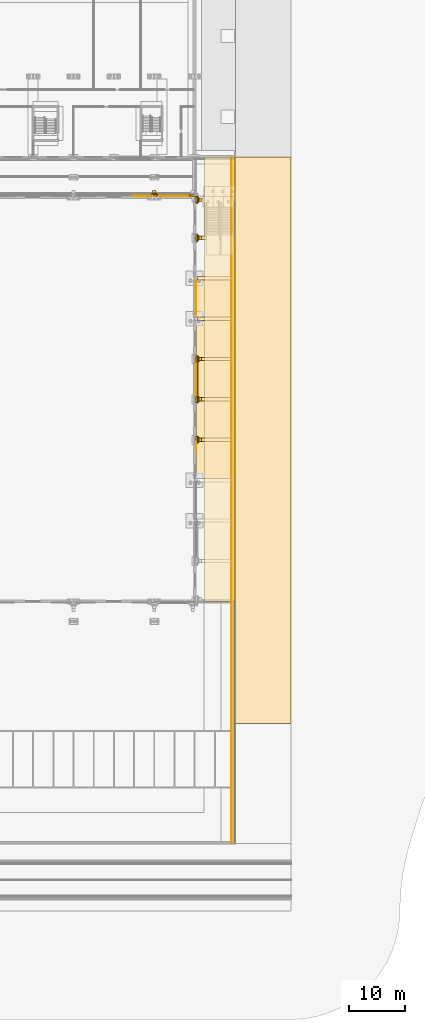
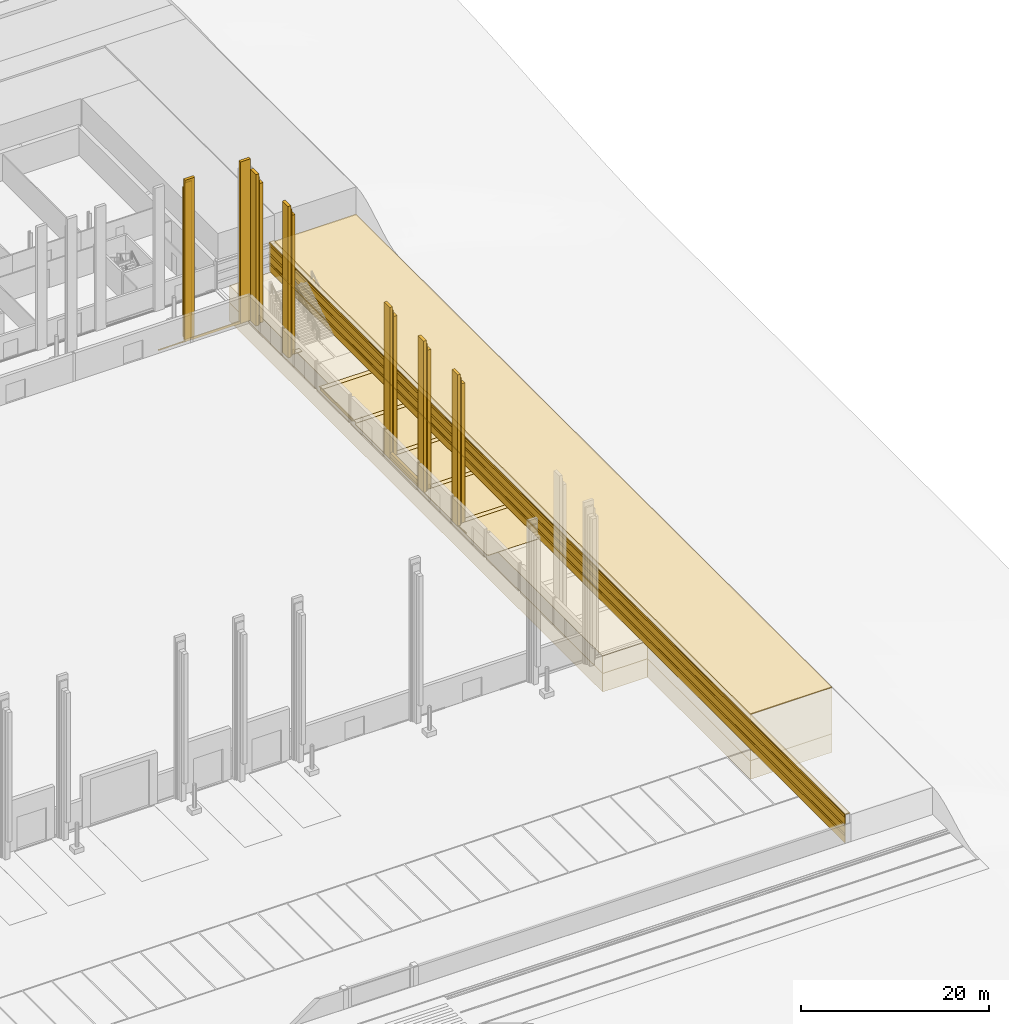
# One storey, part 136 of 148: 49 coverings.
"""IFC4 building model written with IfcOpenShell, lengths in metres."""

import ifcopenshell
import ifcopenshell.guid

model = None  # the IFC model being written
_history = None  # IfcOwnerHistory: only IFC2X3 demands one
_inside = {}  # id of a spatial element -> (the spatial element, [elements in it])
_under = {}  # id of a project, library or spatial element -> (it, [spatial elements below it])
_declared = {}  # id of a project -> (the project, [libraries it declares])
_typed = {}  # id of a type object -> (the type object, [elements of that type])
_made_of = {}  # id of a material, layer set ... -> (it, [elements and type objects made of it])


def new_model(schema):
    """Start an empty IFC model of exactly this schema.

    Asked for "IFC4X3", IfcOpenShell would pick the latest addendum, in which some entities
    have other attributes; the version numbers below select the first issue.
    IFC2X3 requires an IfcOwnerHistory on every rooted entity: one is made here for all.
    """
    global model, _history
    if schema == "IFC4X3":
        model = ifcopenshell.file(schema_version=(4, 3, 0, 0))
    else:
        model = ifcopenshell.file(schema=schema)
    _inside.clear()
    _under.clear()
    _declared.clear()
    _typed.clear()
    _made_of.clear()
    _history = None
    if model.schema == "IFC2X3":
        org = make("IfcOrganization", Name="unknown")
        user = make(
            "IfcPersonAndOrganization",
            ThePerson=make("IfcPerson", FamilyName="unknown"),
            TheOrganization=org,
        )
        app = make(
            "IfcApplication",
            ApplicationDeveloper=org,
            Version="unknown",
            ApplicationFullName="unknown",
            ApplicationIdentifier="unknown",
        )
        _history = make(
            "IfcOwnerHistory",
            OwningUser=user,
            OwningApplication=app,
            ChangeAction="ADDED",
            CreationDate=0,
        )
    return model


def make(cls, **values):
    """One entity of the class cls with the attributes given. An attribute that is None is left unset."""
    return model.create_entity(
        cls, **{name: value for name, value in values.items() if value is not None}
    )


def rooted(cls, **values):
    """An entity with a GlobalId (a new one), such as an element, a storey or a relation."""
    return make(cls, GlobalId=ifcopenshell.guid.new(), OwnerHistory=_history, **values)


def si_unit(unit_type, name, prefix=None):
    """IfcSIUnit, for example si_unit("LENGTHUNIT", "METRE", prefix="MILLI")."""
    return make("IfcSIUnit", UnitType=unit_type, Prefix=prefix, Name=name)


def assignment(units):
    """IfcUnitAssignment: the units of a project."""
    return None if units is None else make("IfcUnitAssignment", Units=units)


def point(xyz):
    """IfcCartesianPoint."""
    return None if xyz is None else make("IfcCartesianPoint", Coordinates=xyz)


def direction(xyz):
    """IfcDirection."""
    return None if xyz is None else make("IfcDirection", DirectionRatios=xyz)


def frame(location, z_axis=None, x_axis=None):
    """IfcAxis2Placement3D, a coordinate frame: its origin and axes. An axis left out is left unset."""
    return make(
        "IfcAxis2Placement3D",
        Location=point(location),
        Axis=direction(z_axis),
        RefDirection=direction(x_axis),
    )


def frame_2d(location, x_axis=None):
    """IfcAxis2Placement2D, a coordinate frame in the plane: its origin and x axis."""
    return make(
        "IfcAxis2Placement2D", Location=point(location), RefDirection=direction(x_axis)
    )


def origin():
    """The frame at (0, 0, 0) with its axes left unset."""
    return frame((0.0, 0.0, 0.0))


def origin_2d():
    """The frame at (0, 0) in the plane with its x axis left unset."""
    return frame_2d((0.0, 0.0))


def place(relative_to, where):
    """IfcLocalPlacement: puts the frame where relative to a parent placement (None: the world)."""
    return make(
        "IfcLocalPlacement", PlacementRelTo=relative_to, RelativePlacement=where
    )


def context(
    kind, dimensions, precision=None, world=None, true_north=None, identifier=None
):
    """IfcGeometricRepresentationContext, for example the 3D "Model" context."""
    return make(
        "IfcGeometricRepresentationContext",
        ContextIdentifier=identifier,
        ContextType=kind,
        CoordinateSpaceDimension=dimensions,
        Precision=precision,
        WorldCoordinateSystem=world,
        TrueNorth=true_north,
    )


def subcontext(parent, identifier, kind, view, scale=None):
    """IfcGeometricRepresentationSubContext, for example "Body" below "Model"."""
    return make(
        "IfcGeometricRepresentationSubContext",
        ContextIdentifier=identifier,
        ContextType=kind,
        ParentContext=parent,
        TargetScale=scale,
        TargetView=view,
    )


def project(units=None, contexts=None):
    """IfcProject with its units and contexts."""
    return rooted(
        "IfcProject",
        Name="project",
        RepresentationContexts=contexts,
        UnitsInContext=assignment(units),
    )


def spatial(cls, under=None, at=None, **own):
    """A site, building, storey or space (cls), placed at a placement, below another one or the project."""
    s = rooted(cls, ObjectPlacement=at, **own)
    if under is not None:
        _under.setdefault(under.id(), (under, []))[1].append(s)
    return s


def polyline(points):
    """IfcPolyline through the points."""
    return make("IfcPolyline", Points=[point(p) for p in points])


def profile(cls, at=None, kind="AREA", **sizes):
    """A parametric profile (cls). Its sizes go by their IFC names, for example OverallWidth=200.0."""
    return make(cls, ProfileType=kind, Position=at, **sizes)


def rectangle(**sizes):
    """IfcRectangleProfileDef."""
    return profile("IfcRectangleProfileDef", **sizes)


def outline(outer, holes=None, kind="AREA"):
    """IfcArbitraryClosedProfileDef: a profile drawn as a closed curve; with holes, ...WithVoids."""
    if holes is None:
        return make("IfcArbitraryClosedProfileDef", ProfileType=kind, OuterCurve=outer)
    return make(
        "IfcArbitraryProfileDefWithVoids",
        ProfileType=kind,
        OuterCurve=outer,
        InnerCurves=holes,
    )


def extrude(swept, where, along, depth):
    """IfcExtrudedAreaSolid: the profile swept, set in the frame where, extruded along a direction by depth."""
    return make(
        "IfcExtrudedAreaSolid",
        SweptArea=swept,
        Position=where,
        ExtrudedDirection=direction(along),
        Depth=depth,
    )


def shape(context_of_items, identifier, shape_type, items):
    """IfcShapeRepresentation: the items that make up one representation, for example the "Body"."""
    return make(
        "IfcShapeRepresentation",
        ContextOfItems=context_of_items,
        RepresentationIdentifier=identifier,
        RepresentationType=shape_type,
        Items=items,
    )


def material(Name=None, Category=None):
    """IfcMaterial."""
    return make("IfcMaterial", Name=Name, Category=Category)


def layer(
    of_material, thickness, ventilated=None, Name=None, Category=None, Priority=None
):
    """IfcMaterialLayer: one layer of a wall or slab, of a material (None: an air gap)."""
    return make(
        "IfcMaterialLayer",
        Material=of_material,
        LayerThickness=thickness,
        IsVentilated=ventilated,
        Name=Name,
        Category=Category,
        Priority=Priority,
    )


def layer_set(layers, Name=None):
    """IfcMaterialLayerSet."""
    return make("IfcMaterialLayerSet", MaterialLayers=layers, LayerSetName=Name)


def made_of(thing, what):
    """Note that an element or type object is made of a material, layer set ...; save() writes the relation."""
    if what is not None:
        _made_of.setdefault(what.id(), (what, []))[1].append(thing)
    return thing


def type_object(cls, material=None, **own):
    """A type object (cls), such as IfcWallType, which elements share."""
    return made_of(rooted(cls, **own), material)


def element(
    cls,
    number,
    at=None,
    inside=None,
    cuts=None,
    type_object=None,
    material=None,
    context=None,
    identifier="Body",
    shape_type=None,
    held_by="IfcProductDefinitionShape",
    body=None,
    shapes=None,
    **own,
):
    """One element of the class cls, such as IfcWall. Its Tag is "e" and its number.

    at: its placement. inside: the storey or other place that contains it. cuts: it is an
    opening in that element (IfcRelVoidsElement). A single representation is given by context,
    identifier, shape_type and body (its items); several are given by shapes. held_by: the class
    of the entity that holds the representations. save() writes the other relations.
    """
    e = rooted(cls, Tag="e%d" % number, ObjectPlacement=at, **own)
    if body is not None:
        shapes = [shape(context, identifier, shape_type, body)]
    if shapes is not None:
        e.Representation = make(held_by, Representations=shapes)
    if inside is not None:
        _inside.setdefault(inside.id(), (inside, []))[1].append(e)
    if cuts is not None:
        rooted(
            "IfcRelVoidsElement", RelatingBuildingElement=cuts, RelatedOpeningElement=e
        )
    if type_object is not None:
        _typed.setdefault(type_object.id(), (type_object, []))[1].append(e)
    return made_of(e, material)


def aggregate(whole, parts):
    """IfcRelAggregates: a whole, such as a stair, and the parts it consists of."""
    return rooted("IfcRelAggregates", RelatingObject=whole, RelatedObjects=parts)


def save(model, path):
    """Write the relations noted so far, then the file.

    IfcRelAggregates (storeys below a building ...), IfcRelContainedInSpatialStructure (elements
    in a storey), IfcRelDefinesByType, IfcRelAssociatesMaterial and IfcRelDeclares: one each for
    every whole, place, type object, material and project.
    """
    for whole, parts in _under.values():
        aggregate(whole, parts)
    for where, things in _inside.values():
        rooted(
            "IfcRelContainedInSpatialStructure",
            RelatedElements=things,
            RelatingStructure=where,
        )
    for kind, things in _typed.values():
        rooted("IfcRelDefinesByType", RelatedObjects=things, RelatingType=kind)
    for what, things in _made_of.values():
        rooted("IfcRelAssociatesMaterial", RelatedObjects=things, RelatingMaterial=what)
    for by, libraries in _declared.values():
        rooted("IfcRelDeclares", RelatingContext=by, RelatedDefinitions=libraries)
    model.write(path)


model = new_model("IFC4")

# Units and contexts
model_context = context("Model", 3, precision=1e-05, world=origin(), true_north=direction((0.0, 1.0)))
body_context = subcontext(model_context, "Body", "Model", "MODEL_VIEW")
ifc_project = project(units=[si_unit("LENGTHUNIT", "METRE"), si_unit("AREAUNIT", "SQUARE_METRE"), si_unit("VOLUMEUNIT", "CUBIC_METRE"), si_unit("PLANEANGLEUNIT", "RADIAN"), si_unit("MASSUNIT", "GRAM", prefix="KILO")], contexts=[model_context])

# Site, building, storey
site_placement = place(None, origin())
site = spatial("IfcSite", under=ifc_project, at=site_placement, CompositionType="ELEMENT")
building_placement = place(site_placement, origin())
building = spatial("IfcBuilding", under=site, at=building_placement, Name="Kupolbacken Congress Centre", CompositionType="ELEMENT")
storey_placement = place(building_placement, origin())
storey = spatial("IfcBuildingStorey", under=building, at=storey_placement, Name="L00", CompositionType="ELEMENT", Elevation=0.0)

# Coverings
ifc_material_1 = material(Name="Limestone cladding", Category="masonry")
ifc_layer_1 = layer(ifc_material_1, 0.1201171875)
ifc_layer_set_1 = layer_set([ifc_layer_1], Name="Limestone cladding")
covering_type_1 = type_object("IfcCoveringType", Name="CV1 limestone cladding band 120", PredefinedType="CLADDING", material=ifc_layer_set_1)
covering_1_placement = place(storey_placement, frame((0.0, 0.0, 3.60009765625)))
element("IfcCovering", 1, at=covering_1_placement, inside=storey, type_object=covering_type_1, Name="Limestone coping on retaining wall", PredefinedType="CLADDING", context=body_context, shape_type="SweptSolid", body=[
    extrude(outline(polyline([(208.719970703125, 0.1298828125), (208.169921875, 0.1298828125), (208.169921875, 122.39990234375), (208.719970703125, 122.39990234375), (208.719970703125, 0.1298828125)])), origin(), (0.0, 0.0, 1.0), 0.119873046875),
])
covering_2_placement = place(storey_placement, frame((0.0, 0.0, 0.89990234375)))
element("IfcCovering", 2, at=covering_2_placement, inside=storey, type_object=covering_type_1, Name="Retaining wall facing, limestone course", PredefinedType="CLADDING", context=body_context, shape_type="SweptSolid", body=[
    extrude(outline(polyline([(208.219970703125, 0.1298828125), (208.10009765625, 0.1298828125), (208.10009765625, 122.39990234375), (208.219970703125, 122.39990234375), (208.219970703125, 0.1298828125)])), origin(), (0.0, 0.0, 1.0), 0.300048828125),
])
covering_3_placement = place(storey_placement, frame((0.0, 0.0, 2.10009765625)))
element("IfcCovering", 3, at=covering_3_placement, inside=storey, type_object=covering_type_1, Name="Retaining wall facing, limestone course", PredefinedType="CLADDING", context=body_context, shape_type="SweptSolid", body=[
    extrude(outline(polyline([(208.219970703125, 0.1298828125), (208.10009765625, 0.1298828125), (208.10009765625, 122.39990234375), (208.219970703125, 122.39990234375), (208.219970703125, 0.1298828125)])), origin(), (0.0, 0.0, 1.0), 0.2998046875),
])
covering_4_placement = place(storey_placement, frame((0.0, 0.0, 3.300048828125)))
element("IfcCovering", 4, at=covering_4_placement, inside=storey, type_object=covering_type_1, Name="Retaining wall facing, limestone course", PredefinedType="CLADDING", context=body_context, shape_type="SweptSolid", body=[
    extrude(outline(polyline([(208.219970703125, 0.1298828125), (208.10009765625, 0.1298828125), (208.10009765625, 122.39990234375), (208.219970703125, 122.39990234375), (208.219970703125, 0.1298828125)])), origin(), (0.0, 0.0, 1.0), 0.300048828125),
])
ifc_material_2 = material(Name="Brick cladding", Category="masonry")
ifc_layer_2 = layer(ifc_material_2, 0.10791015625)
ifc_layer_set_2 = layer_set([ifc_layer_2], Name="Brick cladding")
covering_type_2 = type_object("IfcCoveringType", Name="CV2 brick cladding band 108", PredefinedType="CLADDING", material=ifc_layer_set_2)
covering_5_placement = place(storey_placement, frame((201.864013671875, 82.800048828125, 0.0), z_axis=(0.0, 0.0, 1.0), x_axis=(0.0, 1.0, 0.0)))
element("IfcCovering", 5, at=covering_5_placement, inside=storey, type_object=covering_type_2, Name="E/H/E/L00/054/band", PredefinedType="CLADDING", context=body_context, shape_type="SweptSolid", body=[
    extrude(rectangle(XDim=6.909912109375, YDim=0.10791015625, at=origin_2d()), origin(), (0.0, 0.0, 1.0), 0.300048828125),
])
covering_6_placement = place(storey_placement, frame((201.864013671875, 97.199951171875, 0.0), z_axis=(0.0, 0.0, 1.0), x_axis=(0.0, 1.0, 0.0)))
element("IfcCovering", 6, at=covering_6_placement, inside=storey, type_object=covering_type_2, Name="E/H/E/L00/056/band", PredefinedType="CLADDING", context=body_context, shape_type="SweptSolid", body=[
    extrude(rectangle(XDim=6.7099609375, YDim=0.10791015625, at=origin_2d()), origin(), (0.0, 0.0, 1.0), 0.300048828125),
])
covering_7_placement = place(storey_placement, frame((198.0, 115.464111328125, 0.0), z_axis=(0.0, 0.0, 1.0), x_axis=(-1.0, 0.0, 0.0)))
element("IfcCovering", 7, at=covering_7_placement, inside=storey, type_object=covering_type_2, Name="E/H/N/L00/059/band", PredefinedType="CLADDING", context=body_context, shape_type="SweptSolid", body=[
    extrude(rectangle(XDim=6.89990234375, YDim=0.10791015625, at=origin_2d()), origin(), (0.0, 0.0, 1.0), 0.300048828125),
])
covering_8_placement = place(storey_placement, origin())
element("IfcCovering", 8, at=covering_8_placement, inside=storey, type_object=covering_type_2, Name="Retaining wall facing, brick course", PredefinedType="CLADDING", context=body_context, shape_type="SweptSolid", body=[
    extrude(outline(polyline([(208.219970703125, 0.1298828125), (208.112060546875, 0.1298828125), (208.112060546875, 122.39990234375), (208.219970703125, 122.39990234375), (208.219970703125, 0.1298828125)])), origin(), (0.0, 0.0, 1.0), 0.89990234375),
])
for number, where, name in (
    (9, (0.0, 0.0, 1.199951171875), "Retaining wall facing, brick course"),
    (10, (0.0, 0.0, 2.39990234375), "Retaining wall facing, brick course"),
):
    element("IfcCovering", number, at=place(storey_placement, frame(where)), inside=storey, type_object=covering_type_2, Name=name, PredefinedType="CLADDING", context=body_context, shape_type="SweptSolid", body=[
        extrude(outline(polyline([(208.219970703125, 0.1298828125), (208.112060546875, 0.1298828125), (208.112060546875, 122.39990234375), (208.219970703125, 122.39990234375), (208.219970703125, 0.1298828125)])), origin(), (0.0, 0.0, 1.0), 0.900146484375),
    ])
ifc_material_3 = material(Name="Limestone cladding", Category="masonry")
ifc_layer_3 = layer(ifc_material_3, 0.35009765625)
ifc_layer_set_3 = layer_set([ifc_layer_3], Name="Limestone cladding")
covering_type_3 = type_object("IfcCoveringType", Name="CV3 limestone pilaster strip 350", PredefinedType="CLADDING", material=ifc_layer_set_3)
covering_9_placement = place(storey_placement, frame((194.39990234375, 115.590087890625, 0.0), z_axis=(0.0, 0.0, 1.0), x_axis=(1.0, 0.0, 0.0)))
element("IfcCovering", 11, at=covering_9_placement, inside=storey, type_object=covering_type_3, Name="F/H/N/pil/15/0", PredefinedType="CLADDING", context=body_context, shape_type="SweptSolid", body=[
    extrude(rectangle(XDim=1.199951171875, YDim=0.340087890625, at=origin_2d()), origin(), (0.0, 0.0, 1.0), 20.93505859375),
])
covering_10_placement = place(storey_placement, frame((201.2099609375, 115.5849609375, 0.0), z_axis=(0.0, 0.0, 1.0), x_axis=(1.0, 0.0, 0.0)))
element("IfcCovering", 12, at=covering_10_placement, inside=storey, type_object=covering_type_3, Name="F/H/N/pil/16/0", PredefinedType="CLADDING", context=body_context, shape_type="SweptSolid", body=[
    extrude(rectangle(XDim=1.199951171875, YDim=0.35009765625, at=origin_2d()), origin(), (0.0, 0.0, 1.0), 20.93505859375),
])
for number, where, z_axis, x_axis, name in (
    (13, (201.985107421875, 72.0, 0.0), (0.0, 0.0, 1.0), (0.0, 1.0, 0.0), "F/H/E/pil/04/0"),
    (14, (201.985107421875, 79.199951171875, 0.0), (0.0, 0.0, 1.0), (0.0, 1.0, 0.0), "F/H/E/pil/05/0"),
    (15, (201.985107421875, 86.39990234375, 0.0), (0.0, 0.0, 1.0), (0.0, 1.0, 0.0), "F/H/E/pil/06/0"),
    (16, (201.985107421875, 108.0, 0.0), (0.0, 0.0, 1.0), (0.0, 1.0, 0.0), "F/H/E/pil/09/0"),
    (17, (201.985107421875, 114.81005859375, 0.0), (0.0, 0.0, 1.0), (0.0, 1.0, 0.0), "F/H/E/pil/10/0"),
):
    element("IfcCovering", number, at=place(storey_placement, frame(where, z_axis=z_axis, x_axis=x_axis)), inside=storey, type_object=covering_type_3, Name=name, PredefinedType="CLADDING", context=body_context, shape_type="SweptSolid", body=[
        extrude(rectangle(XDim=1.199951171875, YDim=0.35009765625, at=origin_2d()), origin(), (0.0, 0.0, 1.0), 19.60009765625),
    ])
covering_11_placement = place(storey_placement, frame((201.985107421875, 82.800048828125, 0.0), z_axis=(0.0, 0.0, 1.0), x_axis=(0.0, 1.0, 0.0)))
element("IfcCovering", 18, at=covering_11_placement, inside=storey, type_object=covering_type_3, Name="F/HR/H/E/plinth/05", PredefinedType="CLADDING", context=body_context, shape_type="SweptSolid", body=[
    extrude(rectangle(XDim=6.0, YDim=0.35009765625, at=origin_2d()), origin(), (0.0, 0.0, 1.0), 0.800048828125),
])
ifc_material_4 = material(Name="Limestone cladding", Category="masonry")
ifc_layer_4 = layer(ifc_material_4, 0.5)
ifc_layer_set_4 = layer_set([ifc_layer_4], Name="Limestone cladding")
covering_type_4 = type_object("IfcCoveringType", Name="CV8 limestone drum pier 500", PredefinedType="CLADDING", material=ifc_layer_set_4)
covering_12_placement = place(storey_placement, frame((194.39990234375, 116.2099609375, 0.0), z_axis=(0.0, 0.0, 1.0), x_axis=(1.0, 0.0, 0.0)))
element("IfcCovering", 19, at=covering_12_placement, inside=storey, type_object=covering_type_4, Name="F/HR/H/N/butt/15-0/0", PredefinedType="CLADDING", context=body_context, shape_type="SweptSolid", body=[
    extrude(rectangle(XDim=0.60009765625, YDim=0.5, at=origin_2d()), origin(), (0.0, 0.0, 1.0), 19.385009765625),
])
for number, where, z_axis, x_axis, name in (
    (20, (202.610107421875, 72.0, 0.0), (0.0, 0.0, 1.0), (0.0, 1.0, 0.0), "F/HR/H/E/butt/04-0/0"),
    (21, (202.610107421875, 79.199951171875, 0.0), (0.0, 0.0, 1.0), (0.0, 1.0, 0.0), "F/HR/H/E/butt/05-0/0"),
    (22, (202.610107421875, 86.39990234375, 0.0), (0.0, 0.0, 1.0), (0.0, 1.0, 0.0), "F/HR/H/E/butt/06-0/0"),
    (23, (202.610107421875, 108.0, 0.0), (0.0, 0.0, 1.0), (0.0, 1.0, 0.0), "F/HR/H/E/butt/09-0/0"),
    (24, (202.610107421875, 114.81005859375, 0.0), (0.0, 0.0, 1.0), (0.0, 1.0, 0.0), "F/HR/H/E/butt/10-0/0"),
):
    element("IfcCovering", number, at=place(storey_placement, frame(where, z_axis=z_axis, x_axis=x_axis)), inside=storey, type_object=covering_type_4, Name=name, PredefinedType="CLADDING", context=body_context, shape_type="SweptSolid", body=[
        extrude(rectangle(XDim=0.60009765625, YDim=0.5, at=origin_2d()), origin(), (0.0, 0.0, 1.0), 18.050048828125),
    ])
ifc_material_5 = material(Name="Limestone cladding", Category="masonry")
ifc_layer_5 = layer(ifc_material_5, 0.199951171875)
ifc_layer_set_5 = layer_set([ifc_layer_5], Name="Limestone cladding")
covering_type_5 = type_object("IfcCoveringType", Name="CV9 limestone drum arch frame 200", PredefinedType="CLADDING", material=ifc_layer_set_5)
covering_13_placement = place(storey_placement, frame((194.39990234375, 115.860107421875, 0.0), z_axis=(0.0, 0.0, 1.0), x_axis=(1.0, 0.0, 0.0)))
element("IfcCovering", 25, at=covering_13_placement, inside=storey, type_object=covering_type_5, Name="F/HR/H/N/rib/15-0/0", PredefinedType="CLADDING", context=body_context, shape_type="SweptSolid", body=[
    extrude(rectangle(XDim=0.89990234375, YDim=0.199951171875, at=origin_2d()), origin(), (0.0, 0.0, 1.0), 20.3349609375),
])
for number, where, z_axis, x_axis, name in (
    (26, (202.260009765625, 72.0, 0.0), (0.0, 0.0, 1.0), (0.0, 1.0, 0.0), "F/HR/H/E/rib/04-0/0"),
    (27, (202.260009765625, 79.199951171875, 0.0), (0.0, 0.0, 1.0), (0.0, 1.0, 0.0), "F/HR/H/E/rib/05-0/0"),
    (28, (202.260009765625, 86.39990234375, 0.0), (0.0, 0.0, 1.0), (0.0, 1.0, 0.0), "F/HR/H/E/rib/06-0/0"),
    (29, (202.260009765625, 108.0, 0.0), (0.0, 0.0, 1.0), (0.0, 1.0, 0.0), "F/HR/H/E/rib/09-0/0"),
    (30, (202.260009765625, 114.81005859375, 0.0), (0.0, 0.0, 1.0), (0.0, 1.0, 0.0), "F/HR/H/E/rib/10-0/0"),
):
    element("IfcCovering", number, at=place(storey_placement, frame(where, z_axis=z_axis, x_axis=x_axis)), inside=storey, type_object=covering_type_5, Name=name, PredefinedType="CLADDING", context=body_context, shape_type="SweptSolid", body=[
        extrude(rectangle(XDim=0.89990234375, YDim=0.199951171875, at=origin_2d()), origin(), (0.0, 0.0, 1.0), 19.0),
    ])
ifc_material_6 = material(Name="Limestone cladding", Category="masonry")
ifc_layer_6 = layer(ifc_material_6, 0.02001953125)
ifc_layer_set_6 = layer_set([ifc_layer_6], Name="Limestone cladding")
covering_type_6 = type_object("IfcCoveringType", Name="GF1 limestone paving 20", PredefinedType="FLOORING", material=ifc_layer_set_6)
covering_14_placement = place(storey_placement, origin())
element("IfcCovering", 31, at=covering_14_placement, inside=storey, type_object=covering_type_6, Name="East paving band", PredefinedType="FLOORING", context=body_context, shape_type="SweptSolid", body=[
    extrude(outline(polyline([(201.974365234375, 71.699951171875), (201.9990234375, 71.7333984375), (202.0234375, 71.773681640625), (202.04345703125, 71.81640625), (202.059326171875, 71.860595703125), (202.07080078125, 71.90625), (202.07763671875, 71.952880859375), (202.080078125, 72.0), (202.07763671875, 72.047119140625), (202.07080078125, 72.09375), (202.059326171875, 72.139404296875), (202.04345703125, 72.18359375), (202.0234375, 72.226318359375), (201.9990234375, 72.2666015625), (201.974365234375, 72.300048828125), (208.110107421875, 72.300048828125), (208.110107421875, 71.699951171875), (201.974365234375, 71.699951171875)])), origin(), (0.0, 0.0, 1.0), 0.02001953125),
])
covering_15_placement = place(storey_placement, origin())
element("IfcCovering", 32, at=covering_15_placement, inside=storey, type_object=covering_type_6, Name="East paving band", PredefinedType="FLOORING", context=body_context, shape_type="SweptSolid", body=[
    extrude(outline(polyline([(201.974365234375, 78.89990234375), (201.9990234375, 78.933349609375), (202.0234375, 78.9736328125), (202.04345703125, 79.016357421875), (202.059326171875, 79.060791015625), (202.07080078125, 79.106201171875), (202.07763671875, 79.15283203125), (202.080078125, 79.199951171875), (202.07763671875, 79.2470703125), (202.07080078125, 79.293701171875), (202.059326171875, 79.33935546875), (202.04345703125, 79.3837890625), (202.0234375, 79.42626953125), (201.9990234375, 79.466796875), (201.974365234375, 79.5), (208.110107421875, 79.5), (208.110107421875, 78.89990234375), (201.974365234375, 78.89990234375)])), origin(), (0.0, 0.0, 1.0), 0.02001953125),
])
covering_16_placement = place(storey_placement, origin())
element("IfcCovering", 33, at=covering_16_placement, inside=storey, type_object=covering_type_6, Name="East paving band", PredefinedType="FLOORING", context=body_context, shape_type="SweptSolid", body=[
    extrude(outline(polyline([(201.974365234375, 86.10009765625), (201.9990234375, 86.13330078125), (202.0234375, 86.173583984375), (202.04345703125, 86.21630859375), (202.059326171875, 86.2607421875), (202.07080078125, 86.306396484375), (202.07763671875, 86.352783203125), (202.080078125, 86.39990234375), (202.07763671875, 86.447021484375), (202.07080078125, 86.49365234375), (202.059326171875, 86.539306640625), (202.04345703125, 86.583740234375), (202.0234375, 86.626220703125), (201.9990234375, 86.666748046875), (201.974365234375, 86.699951171875), (208.110107421875, 86.699951171875), (208.110107421875, 86.10009765625), (201.974365234375, 86.10009765625)])), origin(), (0.0, 0.0, 1.0), 0.02001953125),
])
covering_17_placement = place(storey_placement, origin())
element("IfcCovering", 34, at=covering_17_placement, inside=storey, type_object=covering_type_6, Name="East paving band", PredefinedType="FLOORING", context=body_context, shape_type="SweptSolid", body=[
    extrude(outline(polyline([(201.974365234375, 93.300048828125), (201.9990234375, 93.333251953125), (202.0234375, 93.373779296875), (202.04345703125, 93.416259765625), (202.059326171875, 93.460693359375), (202.07080078125, 93.50634765625), (202.07763671875, 93.552978515625), (202.080078125, 93.60009765625), (202.07763671875, 93.647216796875), (202.07080078125, 93.693603515625), (202.059326171875, 93.7392578125), (202.04345703125, 93.78369140625), (202.0234375, 93.826416015625), (201.9990234375, 93.86669921875), (201.974365234375, 93.89990234375), (208.110107421875, 93.89990234375), (208.110107421875, 93.300048828125), (201.974365234375, 93.300048828125)])), origin(), (0.0, 0.0, 1.0), 0.02001953125),
])
covering_18_placement = place(storey_placement, origin())
element("IfcCovering", 35, at=covering_18_placement, inside=storey, type_object=covering_type_6, Name="East paving band", PredefinedType="FLOORING", context=body_context, shape_type="SweptSolid", body=[
    extrude(outline(polyline([(201.974365234375, 100.5), (201.9990234375, 100.533203125), (202.0234375, 100.57373046875), (202.04345703125, 100.6162109375), (202.059326171875, 100.66064453125), (202.07080078125, 100.706298828125), (202.07763671875, 100.7529296875), (202.080078125, 100.800048828125), (202.07763671875, 100.84716796875), (202.07080078125, 100.893798828125), (202.059326171875, 100.939208984375), (202.04345703125, 100.983642578125), (202.0234375, 101.0263671875), (201.9990234375, 101.066650390625), (201.974365234375, 101.10009765625), (208.110107421875, 101.10009765625), (208.110107421875, 100.5), (201.974365234375, 100.5)])), origin(), (0.0, 0.0, 1.0), 0.02001953125),
])
covering_19_placement = place(storey_placement, origin())
element("IfcCovering", 36, at=covering_19_placement, inside=storey, type_object=covering_type_6, Name="East paving band", PredefinedType="FLOORING", context=body_context, shape_type="SweptSolid", body=[
    extrude(outline(polyline([(201.974365234375, 107.699951171875), (201.9990234375, 107.7333984375), (202.0234375, 107.773681640625), (202.04345703125, 107.81640625), (202.059326171875, 107.860595703125), (202.07080078125, 107.90625), (202.07763671875, 107.952880859375), (202.080078125, 108.0), (202.07763671875, 108.047119140625), (202.07080078125, 108.09375), (202.059326171875, 108.139404296875), (202.04345703125, 108.18359375), (202.0234375, 108.226318359375), (201.9990234375, 108.2666015625), (201.974365234375, 108.300048828125), (203.697509765625, 108.300048828125), (203.697509765625, 107.699951171875), (201.974365234375, 107.699951171875)])), origin(), (0.0, 0.0, 1.0), 0.02001953125),
])
ifc_material_7 = material(Name="Brick", Category="masonry")
ifc_layer_7 = layer(ifc_material_7, 0.02001953125)
ifc_layer_set_7 = layer_set([ifc_layer_7], Name="Brick")
covering_type_7 = type_object("IfcCoveringType", Name="GF2 brick paving 20", PredefinedType="FLOORING", material=ifc_layer_set_7)
covering_20_placement = place(storey_placement, origin())
element("IfcCovering", 37, at=covering_20_placement, inside=storey, type_object=covering_type_7, Name="East strip brick paving", PredefinedType="FLOORING", context=body_context, shape_type="SweptSolid", body=[
    extrude(outline(polyline([(208.110107421875, 93.89990234375), (201.974365234375, 93.89990234375), (201.9990234375, 93.86669921875), (201.97119140625, 93.904541015625), (201.939453125, 93.939453125), (201.919921875, 93.95703125), (201.919921875, 100.44287109375), (201.939453125, 100.460693359375), (201.97119140625, 100.49560546875), (201.974365234375, 100.5), (208.110107421875, 100.5), (208.110107421875, 93.89990234375)])), origin(), (0.0, 0.0, 1.0), 0.02001953125),
])
covering_21_placement = place(storey_placement, origin())
element("IfcCovering", 38, at=covering_21_placement, inside=storey, type_object=covering_type_7, Name="East strip brick paving", PredefinedType="FLOORING", context=body_context, shape_type="SweptSolid", body=[
    extrude(outline(polyline([(208.110107421875, 86.699951171875), (201.974365234375, 86.699951171875), (201.939453125, 86.739501953125), (201.904541015625, 86.77099609375), (201.86669921875, 86.799072265625), (201.840087890625, 86.815185546875), (201.840087890625, 93.184814453125), (201.86669921875, 93.200927734375), (201.904541015625, 93.22900390625), (201.939453125, 93.260498046875), (201.974365234375, 93.300048828125), (208.110107421875, 93.300048828125), (208.110107421875, 86.699951171875)])), origin(), (0.0, 0.0, 1.0), 0.02001953125),
])
covering_22_placement = place(storey_placement, origin())
element("IfcCovering", 39, at=covering_22_placement, inside=storey, type_object=covering_type_7, Name="East strip brick paving", PredefinedType="FLOORING", context=body_context, shape_type="SweptSolid", body=[
    extrude(outline(polyline([(208.110107421875, 79.5), (201.974365234375, 79.5), (201.97119140625, 79.50439453125), (201.939453125, 79.539306640625), (201.919921875, 79.55712890625), (201.919921875, 86.04296875), (201.939453125, 86.060546875), (201.97119140625, 86.095458984375), (201.974365234375, 86.10009765625), (208.110107421875, 86.10009765625), (208.110107421875, 79.5)])), origin(), (0.0, 0.0, 1.0), 0.02001953125),
])
covering_23_placement = place(storey_placement, origin())
element("IfcCovering", 40, at=covering_23_placement, inside=storey, type_object=covering_type_7, Name="East strip brick paving", PredefinedType="FLOORING", context=body_context, shape_type="SweptSolid", body=[
    extrude(outline(polyline([(208.110107421875, 72.300048828125), (201.974365234375, 72.300048828125), (201.939453125, 72.33935546875), (201.904541015625, 72.37109375), (201.86669921875, 72.399169921875), (201.840087890625, 72.4150390625), (201.840087890625, 78.784912109375), (201.86669921875, 78.80078125), (201.904541015625, 78.828857421875), (201.939453125, 78.860595703125), (201.974365234375, 78.89990234375), (208.110107421875, 78.89990234375), (208.110107421875, 72.300048828125)])), origin(), (0.0, 0.0, 1.0), 0.02001953125),
])
covering_24_placement = place(storey_placement, origin())
element("IfcCovering", 41, at=covering_24_placement, inside=storey, type_object=covering_type_7, Name="East strip brick paving", PredefinedType="FLOORING", context=body_context, shape_type="SweptSolid", body=[
    extrude(outline(polyline([(208.110107421875, 65.10009765625), (201.974365234375, 65.10009765625), (201.939453125, 65.139404296875), (201.904541015625, 65.171142578125), (201.86669921875, 65.19921875), (201.840087890625, 65.215087890625), (201.840087890625, 69.783203125), (201.900390625, 69.7802734375), (201.900390625, 71.6259765625), (201.939453125, 71.66064453125), (201.974365234375, 71.699951171875), (208.110107421875, 71.699951171875), (208.110107421875, 65.10009765625)])), origin(), (0.0, 0.0, 1.0), 0.02001953125),
])
ifc_material_8 = material(Name="Grass", Category="soil")
ifc_layer_8 = layer(ifc_material_8, 0.10009765625)
ifc_layer_set_8 = layer_set([ifc_layer_8], Name="Grass")
covering_type_8 = type_object("IfcCoveringType", Name="GR2 grass surface 100", PredefinedType="FLOORING", material=ifc_layer_set_8)
covering_25_placement = place(storey_placement, frame((0.0, 0.0, 3.5)))
element("IfcCovering", 42, at=covering_25_placement, inside=storey, type_object=covering_type_8, Name="Grass, east hill 21", PredefinedType="FLOORING", context=body_context, shape_type="SweptSolid", body=[
    extrude(outline(polyline([(218.800048828125, 122.39990234375), (218.800048828125, 21.375), (208.800048828125, 21.375), (208.800048828125, 122.39990234375), (218.800048828125, 122.39990234375)])), origin(), (0.0, 0.0, 1.0), 0.10009765625),
])
ifc_material_9 = material(Name="Granite setts", Category="masonry")
ifc_layer_9 = layer(ifc_material_9, 0.10009765625)
ifc_layer_set_9 = layer_set([ifc_layer_9], Name="Granite setts")
covering_type_9 = type_object("IfcCoveringType", Name="GR3 granite sett paving 100", PredefinedType="FLOORING", material=ifc_layer_set_9)
covering_26_placement = place(storey_placement, origin())
element("IfcCovering", 43, at=covering_26_placement, inside=storey, type_object=covering_type_9, Name="Granite kerb edging", PredefinedType="FLOORING", context=body_context, shape_type="SweptSolid", body=[
    extrude(outline(polyline([(193.98486328125, 115.43994140625), (190.588134765625, 115.43994140625), (190.585205078125, 115.50048828125), (194.02587890625, 115.50048828125), (194.0009765625, 115.466796875), (193.98486328125, 115.43994140625)])), origin(), (0.0, 0.0, 1.0), 0.10009765625),
])
covering_27_placement = place(storey_placement, origin())
element("IfcCovering", 44, at=covering_27_placement, inside=storey, type_object=covering_type_9, Name="Granite kerb edging", PredefinedType="FLOORING", context=body_context, shape_type="SweptSolid", body=[
    extrude(outline(polyline([(201.900390625, 69.7802734375), (201.840087890625, 69.783203125), (201.840087890625, 71.5849609375), (201.86669921875, 71.600830078125), (201.900390625, 71.6259765625), (201.900390625, 69.7802734375)])), origin(), (0.0, 0.0, 1.0), 0.10009765625),
])
covering_28_placement = place(storey_placement, origin())
element("IfcCovering", 45, at=covering_28_placement, inside=storey, type_object=covering_type_9, Name="Granite kerb edging", PredefinedType="FLOORING", context=body_context, shape_type="SweptSolid", body=[
    extrude(outline(polyline([(208.702392578125, 108.552490234375), (208.699951171875, 108.552490234375), (208.699951171875, 122.070068359375), (208.699951171875, 122.3974609375), (208.79638671875, 122.3974609375), (208.79638671875, 43.202392578125), (208.699951171875, 43.202392578125), (208.699951171875, 104.947509765625), (208.702392578125, 104.947509765625), (208.702392578125, 108.552490234375)])), origin(), (0.0, 0.0, 1.0), 0.10009765625),
])
ifc_material_10 = material(Name="Made ground", Category="soil")
ifc_layer_10 = layer(ifc_material_10, 2.39990234375)
ifc_layer_set_10 = layer_set([ifc_layer_10], Name="Made ground")
covering_type_10 = type_object("IfcCoveringType", Name="GR5 earthworks, made ground", PredefinedType="FLOORING", material=ifc_layer_set_10)
covering_29_placement = place(storey_placement, frame((0.0, 0.0, -2.5)))
element("IfcCovering", 46, at=covering_29_placement, inside=storey, type_object=covering_type_10, Name="Earth under east strip slab, made ground", PredefinedType="FLOORING", context=body_context, shape_type="SweptSolid", body=[
    extrude(outline(polyline([(203.300048828125, 43.200439453125), (203.300048828125, 122.3994140625), (208.798583984375, 122.3994140625), (208.798583984375, 43.200439453125), (203.300048828125, 43.200439453125)])), origin(), (0.0, 0.0, 1.0), 2.26806640625),
])
covering_30_placement = place(storey_placement, frame((0.0, 0.0, -2.5)))
element("IfcCovering", 47, at=covering_30_placement, inside=storey, type_object=covering_type_10, Name="Earthworks, east hill 21, made ground", PredefinedType="FLOORING", context=body_context, shape_type="SweptSolid", body=[
    extrude(outline(polyline([(218.800048828125, 122.39990234375), (218.800048828125, 21.375), (208.800048828125, 21.375), (208.800048828125, 122.39990234375), (218.800048828125, 122.39990234375)])), origin(), (0.0, 0.0, 1.0), 6.0),
])
ifc_material_11 = material(Name="Clay till", Category="soil")
ifc_layer_11 = layer(ifc_material_11, 2.39990234375)
ifc_layer_set_11 = layer_set([ifc_layer_11], Name="Clay till")
covering_type_11 = type_object("IfcCoveringType", Name="GR6 earthworks, clay till", PredefinedType="FLOORING", material=ifc_layer_set_11)
covering_31_placement = place(storey_placement, frame((0.0, 0.0, -4.89990234375)))
element("IfcCovering", 48, at=covering_31_placement, inside=storey, type_object=covering_type_11, Name="Earth under east strip slab, clay till", PredefinedType="FLOORING", context=body_context, shape_type="SweptSolid", body=[
    extrude(outline(polyline([(203.300048828125, 43.200439453125), (203.300048828125, 122.3994140625), (208.798583984375, 122.3994140625), (208.798583984375, 43.200439453125), (203.300048828125, 43.200439453125)])), origin(), (0.0, 0.0, 1.0), 2.39990234375),
])
covering_32_placement = place(storey_placement, frame((0.0, 0.0, -4.89990234375)))
element("IfcCovering", 49, at=covering_32_placement, inside=storey, type_object=covering_type_11, Name="Earthworks, east hill 21, clay till", PredefinedType="FLOORING", context=body_context, shape_type="SweptSolid", body=[
    extrude(outline(polyline([(218.800048828125, 122.39990234375), (218.800048828125, 21.375), (208.800048828125, 21.375), (208.800048828125, 122.39990234375), (218.800048828125, 122.39990234375)])), origin(), (0.0, 0.0, 1.0), 2.39990234375),
])

save(model, "model.ifc")
